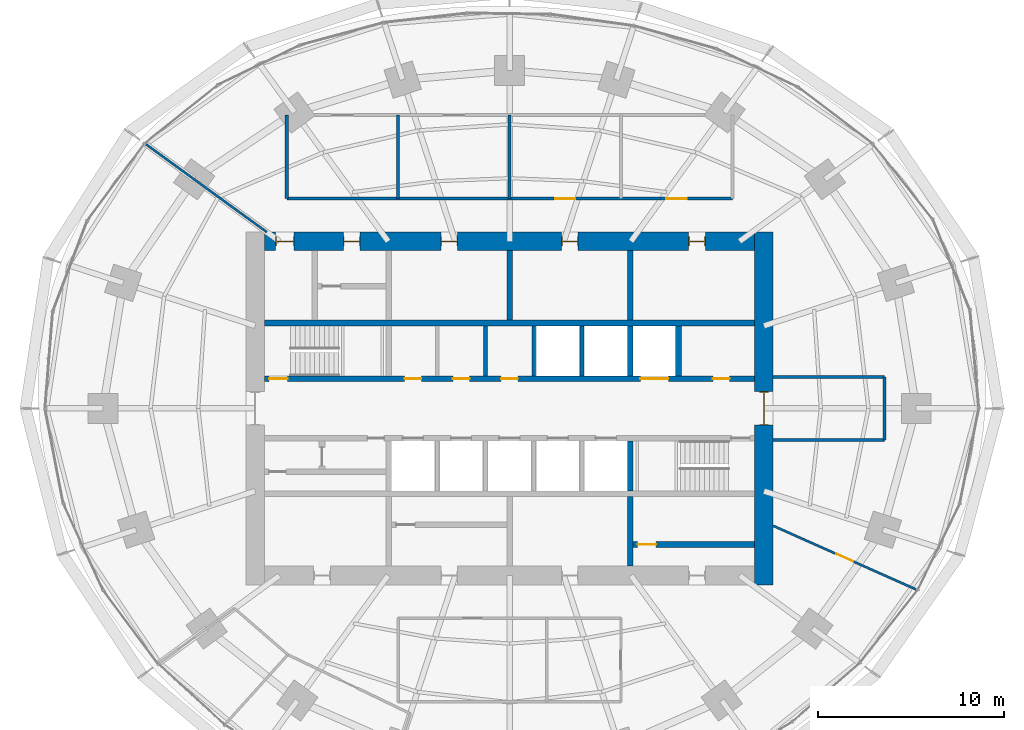
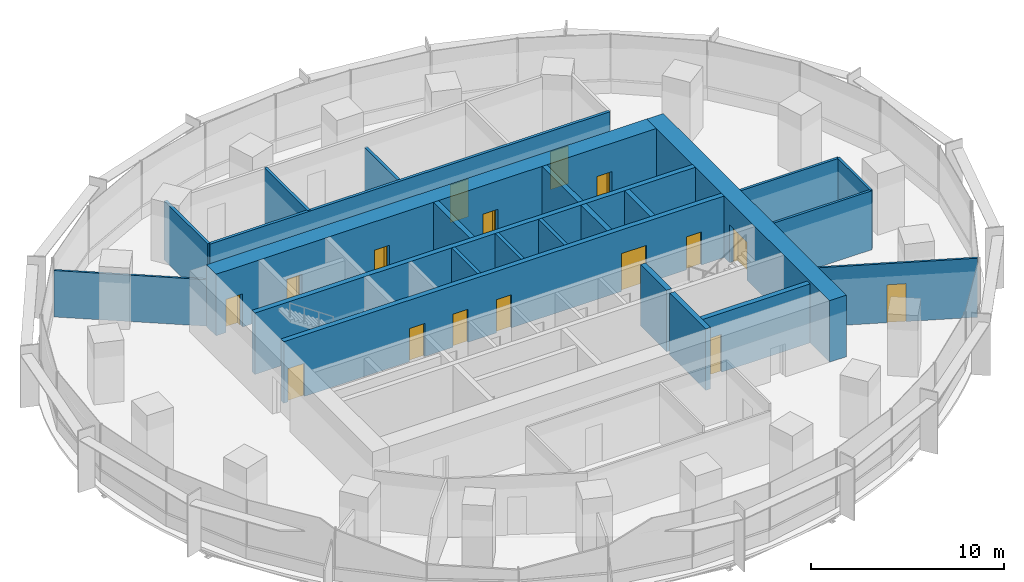
# One storey, part 11 of 14: 23 walls, 16 doors, 16 openings.
"""IFC4 building model written with IfcOpenShell, lengths in metres."""

from ifc_helpers import new_model, si_unit, direction, frame, frame_2d, origin, place, context, subcontext, project, spatial, rectangle, extrude, material, layer, layer_set, type_object, element, fill, save


model = new_model("IFC4")

# Units and contexts
model_context = context("Model", 3, precision=1e-05, world=origin(), true_north=direction((0.0, 1.0)))
body_context = subcontext(model_context, "Body", "Model", "MODEL_VIEW")
ifc_project = project(units=[si_unit("LENGTHUNIT", "METRE"), si_unit("AREAUNIT", "SQUARE_METRE"), si_unit("VOLUMEUNIT", "CUBIC_METRE"), si_unit("PLANEANGLEUNIT", "RADIAN"), si_unit("MASSUNIT", "GRAM", prefix="KILO")], contexts=[model_context])

# Site, building, storey
site_placement = place(None, origin())
site = spatial("IfcSite", under=ifc_project, at=site_placement, CompositionType="ELEMENT")
building_placement = place(site_placement, origin())
building = spatial("IfcBuilding", under=site, at=building_placement, Name="Marramba Exchange Tower", CompositionType="ELEMENT")
storey_placement = place(building_placement, frame((0.0, 0.0, 158.699951171875)))
storey = spatial("IfcBuildingStorey", under=building, at=storey_placement, Name="L38", CompositionType="ELEMENT", Elevation=158.699951171875)

# Wall
ifc_material_1 = material(Name="Plasterboard on staggered double steel studs, acoustic insulation", Category="steel")
ifc_layer_1 = layer(ifc_material_1, 0.169921875)
ifc_layer_set_1 = layer_set([ifc_layer_1], Name="Acoustic partition 170")
wall_type_1 = type_object("IfcWallType", Name="Acoustic partition 170", PredefinedType="PARTITIONING", material=ifc_layer_set_1)
wall_1_placement = place(storey_placement, frame((0.0, 15.800048828125, 0.0), z_axis=(0.0, 0.0, 1.0), x_axis=(0.0, -1.0, 0.0)))
element("IfcWall", 1, at=wall_1_placement, inside=storey, type_object=wall_type_1, Name="Acoustic partition L38 18", PredefinedType="PARTITIONING", context=body_context, shape_type="SweptSolid", body=[
    extrude(rectangle(XDim=4.5, YDim=0.169921875, at=frame_2d((2.25, 0.0))), origin(), (0.0, 0.0, 1.0), 2.93994140625),
])

# Wall, openings, doors
wall_2_placement = place(storey_placement, frame((12.0, 11.300048828125, 0.0), z_axis=(0.0, 0.0, 1.0), x_axis=(-1.0, 0.0, 0.0)))
wall_2 = element("IfcWall", 2, at=wall_2_placement, inside=storey, type_object=wall_type_1, Name="Acoustic partition L38 19", PredefinedType="PARTITIONING", context=body_context, shape_type="SweptSolid", body=[
    extrude(rectangle(XDim=24.0, YDim=0.169921875, at=frame_2d((12.0, 0.0))), origin(), (0.0, 0.0, 1.0), 3.739990234375),
])
opening_1_placement = place(wall_2_placement, frame((8.449951171875, 0.0, 0.0)))
opening_1 = element("IfcOpeningElement", 3, at=opening_1_placement, cuts=wall_2, Name="Opening D15", PredefinedType="OPENING", context=body_context, shape_type="SweptSolid", body=[
    extrude(rectangle(XDim=1.10009765625, YDim=2.39990234375, at=frame_2d((0.550048828125, 1.199951171875))), frame((0.0, 0.094970703125, 0.0), z_axis=(0.0, -1.0, 0.0), x_axis=(1.0, 0.0, 0.0)), (0.0, 0.0, 1.0), 0.18994140625),
])
opening_2_placement = place(wall_2_placement, frame((2.449951171875, 0.0, 0.0)))
opening_2 = element("IfcOpeningElement", 4, at=opening_2_placement, cuts=wall_2, Name="Opening D15", PredefinedType="OPENING", context=body_context, shape_type="SweptSolid", body=[
    extrude(rectangle(XDim=1.10009765625, YDim=2.39990234375, at=frame_2d((0.550048828125, 1.199951171875))), frame((0.0, 0.094970703125, 0.0), z_axis=(0.0, -1.0, 0.0), x_axis=(1.0, 0.0, 0.0)), (0.0, 0.0, 1.0), 0.18994140625),
])
ifc_material_2 = material(Name="Timber door", Category="wood")
door_type_1 = type_object("IfcDoorType", Name="Glazed meeting room door 1100x2400", OperationType="SINGLE_SWING_LEFT", PredefinedType="DOOR", material=ifc_material_2)
door_1_placement = place(opening_1_placement, frame((1.10009765625, 0.0, 0.0), z_axis=(0.0, 0.0, 1.0), x_axis=(-1.0, 0.0, 0.0)))
door_1 = element("IfcDoor", 5, at=door_1_placement, inside=storey, type_object=door_type_1, Name="D15 Meeting Room 3 L38", OperationType="SINGLE_SWING_RIGHT", OverallHeight=2.39990234375, OverallWidth=1.10009765625, PredefinedType="DOOR", context=body_context, shape_type="SweptSolid", body=[
    extrude(rectangle(XDim=1.10009765625, YDim=2.39990234375, at=frame_2d((0.550048828125, 1.199951171875))), frame((0.0, 0.025146484375, 0.0), z_axis=(0.0, -1.0, 0.0), x_axis=(1.0, 0.0, 0.0)), (0.0, 0.0, 1.0), 0.050048828125),
])
fill(opening_1, door_1)
door_2_placement = place(opening_2_placement, frame((1.10009765625, 0.0, 0.0), z_axis=(0.0, 0.0, 1.0), x_axis=(-1.0, 0.0, 0.0)))
door_2 = element("IfcDoor", 6, at=door_2_placement, inside=storey, type_object=door_type_1, Name="D15 Meeting Room 4 L38", OperationType="SINGLE_SWING_RIGHT", OverallHeight=2.39990234375, OverallWidth=1.10009765625, PredefinedType="DOOR", context=body_context, shape_type="SweptSolid", body=[
    extrude(rectangle(XDim=1.10009765625, YDim=2.39990234375, at=frame_2d((0.550048828125, 1.199951171875))), frame((0.0, 0.025146484375, 0.0), z_axis=(0.0, -1.0, 0.0), x_axis=(1.0, 0.0, 0.0)), (0.0, 0.0, 1.0), 0.050048828125),
])
fill(opening_2, door_2)

# Walls
for number, where, z_axis, x_axis, name in (
    (7, (-6.0, 15.800048828125, 0.0), (0.0, 0.0, 1.0), (0.0, -1.0, 0.0), "Acoustic partition L38 20"),
    (8, (-12.0, 11.300048828125, 0.0), (0.0, 0.0, 1.0), (0.0, 1.0, 0.0), "Acoustic partition L38 21"),
):
    element("IfcWall", number, at=place(storey_placement, frame(where, z_axis=z_axis, x_axis=x_axis)), inside=storey, type_object=wall_type_1, Name=name, PredefinedType="PARTITIONING", context=body_context, shape_type="SweptSolid", body=[
        extrude(rectangle(XDim=4.5, YDim=0.169921875, at=frame_2d((2.25, 0.0))), origin(), (0.0, 0.0, 1.0), 3.739990234375),
    ])
ifc_material_3 = material(Name="Concrete N50", Category="concrete")
ifc_layer_2 = layer(ifc_material_3, 0.199951171875)
ifc_layer_set_2 = layer_set([ifc_layer_2], Name="Core shaft wall 200")
wall_type_2 = type_object("IfcWallType", Name="Core shaft wall 200", PredefinedType="SHEAR", material=ifc_layer_set_2)
for number, where, z_axis, x_axis, name in (
    (9, (-1.300048828125, 1.75, 0.0), (0.0, 0.0, 1.0), (0.0, 1.0, 0.0), "Core wall SHN2 L38"),
    (10, (1.300048828125, 1.75, 0.0), (0.0, 0.0, 1.0), (0.0, 1.0, 0.0), "Core wall SHN3 L38"),
    (11, (3.89990234375, 1.75, 0.0), (0.0, 0.0, 1.0), (0.0, 1.0, 0.0), "Core wall SHN4 L38"),
):
    element("IfcWall", number, at=place(storey_placement, frame(where, z_axis=z_axis, x_axis=x_axis)), inside=storey, type_object=wall_type_2, Name=name, PredefinedType="SHEAR", context=body_context, shape_type="SweptSolid", body=[
        extrude(rectangle(XDim=2.699951171875, YDim=0.199951171875, at=frame_2d((1.35009765625, 0.0))), origin(), (0.0, 0.0, 1.0), 3.900146484375),
    ])

# Wall, openings, doors
ifc_layer_3 = layer(ifc_material_3, 1.0)
ifc_layer_set_3 = layer_set([ifc_layer_3], Name="Core wall 1000")
wall_type_3 = type_object("IfcWallType", Name="Core wall 1000", PredefinedType="SHEAR", material=ifc_layer_set_3)
wall_3_placement = place(storey_placement, frame((13.199951171875, 9.0, 0.0), z_axis=(0.0, 0.0, 1.0), x_axis=(-1.0, 0.0, 0.0)))
wall_3 = element("IfcWall", 12, at=wall_3_placement, inside=storey, type_object=wall_type_3, Name="Core wall N L38", PredefinedType="SHEAR", context=body_context, shape_type="SweptSolid", body=[
    extrude(rectangle(XDim=26.39990234375, YDim=1.0, at=frame_2d((13.199951171875, 0.0))), origin(), (0.0, 0.0, 1.0), 3.900146484375),
])
opening_3_placement = place(wall_3_placement, frame((2.64990234375, 0.0, 0.0)))
opening_3 = element("IfcOpeningElement", 13, at=opening_3_placement, cuts=wall_3, Name="Opening D5", PredefinedType="OPENING", context=body_context, shape_type="SweptSolid", body=[
    extrude(rectangle(XDim=0.89990234375, YDim=2.10009765625, at=frame_2d((0.449951171875, 1.050048828125))), frame((0.0, 0.510009765625, 0.0), z_axis=(0.0, -1.0, 0.0), x_axis=(1.0, 0.0, 0.0)), (0.0, 0.0, 1.0), 1.02001953125),
])
opening_4_placement = place(wall_3_placement, frame((9.5, 0.0, 0.0)))
opening_4 = element("IfcOpeningElement", 14, at=opening_4_placement, cuts=wall_3, Name="Opening D3", PredefinedType="OPENING", context=body_context, shape_type="SweptSolid", body=[
    extrude(rectangle(XDim=0.89990234375, YDim=2.10009765625, at=frame_2d((0.449951171875, 1.050048828125))), frame((0.0, 0.510009765625, 0.0), z_axis=(0.0, -1.0, 0.0), x_axis=(1.0, 0.0, 0.0)), (0.0, 0.0, 1.0), 1.02001953125),
])
opening_5_placement = place(wall_3_placement, frame((16.0, 0.0, 0.0)))
opening_5 = element("IfcOpeningElement", 15, at=opening_5_placement, cuts=wall_3, Name="Opening D3", PredefinedType="OPENING", context=body_context, shape_type="SweptSolid", body=[
    extrude(rectangle(XDim=0.89990234375, YDim=2.10009765625, at=frame_2d((0.449951171875, 1.050048828125))), frame((0.0, 0.510009765625, 0.0), z_axis=(0.0, -1.0, 0.0), x_axis=(1.0, 0.0, 0.0)), (0.0, 0.0, 1.0), 1.02001953125),
])
opening_6_placement = place(wall_3_placement, frame((21.25, 0.0, 0.0)))
opening_6 = element("IfcOpeningElement", 16, at=opening_6_placement, cuts=wall_3, Name="Opening D5", PredefinedType="OPENING", context=body_context, shape_type="SweptSolid", body=[
    extrude(rectangle(XDim=0.89990234375, YDim=2.10009765625, at=frame_2d((0.449951171875, 1.050048828125))), frame((0.0, 0.510009765625, 0.0), z_axis=(0.0, -1.0, 0.0), x_axis=(1.0, 0.0, 0.0)), (0.0, 0.0, 1.0), 1.02001953125),
])
opening_7_placement = place(wall_3_placement, frame((24.800048828125, 0.0, 0.0)))
opening_7 = element("IfcOpeningElement", 17, at=opening_7_placement, cuts=wall_3, Name="Opening D4", PredefinedType="OPENING", context=body_context, shape_type="SweptSolid", body=[
    extrude(rectangle(XDim=1.0, YDim=2.10009765625, at=frame_2d((0.5, 1.050048828125))), frame((0.0, 0.510009765625, 0.0), z_axis=(0.0, -1.0, 0.0), x_axis=(1.0, 0.0, 0.0)), (0.0, 0.0, 1.0), 1.02001953125),
])
ifc_material_4 = material(Name="Steel-framed door", Category="steel")
door_type_2 = type_object("IfcDoorType", Name="Accessible toilet door 1000x2100", OperationType="SINGLE_SWING_LEFT", PredefinedType="DOOR", material=ifc_material_4)
door_3_placement = place(opening_7_placement, origin())
door_3 = element("IfcDoor", 18, at=door_3_placement, inside=storey, type_object=door_type_2, Name="D4 awc L38", OperationType="SINGLE_SWING_RIGHT", OverallHeight=2.10009765625, OverallWidth=1.0, PredefinedType="DOOR", context=body_context, shape_type="SweptSolid", body=[
    extrude(rectangle(XDim=0.919921875, YDim=2.06005859375, at=frame_2d((0.5, 1.030029296875))), frame((0.0, 0.02490234375, 0.0), z_axis=(0.0, -1.0, 0.0), x_axis=(1.0, 0.0, 0.0)), (0.0, 0.0, 1.0), 0.050048828125),
    extrude(rectangle(XDim=0.04, YDim=2.10009765625, at=frame_2d((0.02001953125, 1.050048828125))), frame((0.0, 0.25, 0.0), z_axis=(0.0, -1.0, 0.0), x_axis=(1.0, 0.0, 0.0)), (0.0, 0.0, 1.0), 0.5),
    extrude(rectangle(XDim=0.04, YDim=2.10009765625, at=frame_2d((0.97998046875, 1.050048828125))), frame((0.0, 0.25, 0.0), z_axis=(0.0, -1.0, 0.0), x_axis=(1.0, 0.0, 0.0)), (0.0, 0.0, 1.0), 0.5),
    extrude(rectangle(XDim=0.919921875, YDim=0.04, at=frame_2d((0.5, 2.080078125))), frame((0.0, 0.25, 0.0), z_axis=(0.0, -1.0, 0.0), x_axis=(1.0, 0.0, 0.0)), (0.0, 0.0, 1.0), 0.5),
])
fill(opening_7, door_3)
door_type_3 = type_object("IfcDoorType", Name="Service door 900x2100", OperationType="SINGLE_SWING_LEFT", PredefinedType="DOOR", material=ifc_material_4)
door_4_placement = place(opening_3_placement, origin())
door_4 = element("IfcDoor", 19, at=door_4_placement, inside=storey, type_object=door_type_3, Name="D5 comms L38", OperationType="SINGLE_SWING_LEFT", OverallHeight=2.10009765625, OverallWidth=0.89990234375, PredefinedType="DOOR", context=body_context, shape_type="SweptSolid", body=[
    extrude(rectangle(XDim=0.81982421875, YDim=2.06005859375, at=frame_2d((0.449951171875, 1.030029296875))), frame((0.0, 0.02490234375, 0.0), z_axis=(0.0, -1.0, 0.0), x_axis=(1.0, 0.0, 0.0)), (0.0, 0.0, 1.0), 0.050048828125),
    extrude(rectangle(XDim=0.04, YDim=2.10009765625, at=frame_2d((0.02001953125, 1.050048828125))), frame((0.0, 0.25, 0.0), z_axis=(0.0, -1.0, 0.0), x_axis=(1.0, 0.0, 0.0)), (0.0, 0.0, 1.0), 0.5),
    extrude(rectangle(XDim=0.04, YDim=2.10009765625, at=frame_2d((0.8798828125, 1.050048828125))), frame((0.0, 0.25, 0.0), z_axis=(0.0, -1.0, 0.0), x_axis=(1.0, 0.0, 0.0)), (0.0, 0.0, 1.0), 0.5),
    extrude(rectangle(XDim=0.81982421875, YDim=0.04, at=frame_2d((0.449951171875, 2.080078125))), frame((0.0, 0.25, 0.0), z_axis=(0.0, -1.0, 0.0), x_axis=(1.0, 0.0, 0.0)), (0.0, 0.0, 1.0), 0.5),
])
fill(opening_3, door_4)
door_5_placement = place(opening_6_placement, origin())
door_5 = element("IfcDoor", 20, at=door_5_placement, inside=storey, type_object=door_type_3, Name="D5 cleaner L38", OperationType="SINGLE_SWING_RIGHT", OverallHeight=2.10009765625, OverallWidth=0.89990234375, PredefinedType="DOOR", context=body_context, shape_type="SweptSolid", body=[
    extrude(rectangle(XDim=0.81982421875, YDim=2.06005859375, at=frame_2d((0.449951171875, 1.030029296875))), frame((0.0, 0.02490234375, 0.0), z_axis=(0.0, -1.0, 0.0), x_axis=(1.0, 0.0, 0.0)), (0.0, 0.0, 1.0), 0.050048828125),
    extrude(rectangle(XDim=0.04, YDim=2.10009765625, at=frame_2d((0.02001953125, 1.050048828125))), frame((0.0, 0.25, 0.0), z_axis=(0.0, -1.0, 0.0), x_axis=(1.0, 0.0, 0.0)), (0.0, 0.0, 1.0), 0.5),
    extrude(rectangle(XDim=0.04, YDim=2.10009765625, at=frame_2d((0.8798828125, 1.050048828125))), frame((0.0, 0.25, 0.0), z_axis=(0.0, -1.0, 0.0), x_axis=(1.0, 0.0, 0.0)), (0.0, 0.0, 1.0), 0.5),
    extrude(rectangle(XDim=0.81982421875, YDim=0.04, at=frame_2d((0.449951171875, 2.080078125))), frame((0.0, 0.25, 0.0), z_axis=(0.0, -1.0, 0.0), x_axis=(1.0, 0.0, 0.0)), (0.0, 0.0, 1.0), 0.5),
])
fill(opening_6, door_5)
door_type_4 = type_object("IfcDoorType", Name="Toilet door 900x2100", OperationType="SINGLE_SWING_LEFT", PredefinedType="DOOR", material=ifc_material_4)
door_6_placement = place(opening_4_placement, origin())
door_6 = element("IfcDoor", 21, at=door_6_placement, inside=storey, type_object=door_type_4, Name="D3 wc-f L38", OperationType="SINGLE_SWING_RIGHT", OverallHeight=2.10009765625, OverallWidth=0.89990234375, PredefinedType="DOOR", context=body_context, shape_type="SweptSolid", body=[
    extrude(rectangle(XDim=0.81982421875, YDim=2.06005859375, at=frame_2d((0.449951171875, 1.030029296875))), frame((0.0, 0.02490234375, 0.0), z_axis=(0.0, -1.0, 0.0), x_axis=(1.0, 0.0, 0.0)), (0.0, 0.0, 1.0), 0.050048828125),
    extrude(rectangle(XDim=0.04, YDim=2.10009765625, at=frame_2d((0.02001953125, 1.050048828125))), frame((0.0, 0.25, 0.0), z_axis=(0.0, -1.0, 0.0), x_axis=(1.0, 0.0, 0.0)), (0.0, 0.0, 1.0), 0.5),
    extrude(rectangle(XDim=0.04, YDim=2.10009765625, at=frame_2d((0.8798828125, 1.050048828125))), frame((0.0, 0.25, 0.0), z_axis=(0.0, -1.0, 0.0), x_axis=(1.0, 0.0, 0.0)), (0.0, 0.0, 1.0), 0.5),
    extrude(rectangle(XDim=0.81982421875, YDim=0.04, at=frame_2d((0.449951171875, 2.080078125))), frame((0.0, 0.25, 0.0), z_axis=(0.0, -1.0, 0.0), x_axis=(1.0, 0.0, 0.0)), (0.0, 0.0, 1.0), 0.5),
])
fill(opening_4, door_6)
door_7_placement = place(opening_5_placement, origin())
door_7 = element("IfcDoor", 22, at=door_7_placement, inside=storey, type_object=door_type_4, Name="D3 wc-m L38", OperationType="SINGLE_SWING_RIGHT", OverallHeight=2.10009765625, OverallWidth=0.89990234375, PredefinedType="DOOR", context=body_context, shape_type="SweptSolid", body=[
    extrude(rectangle(XDim=0.81982421875, YDim=2.06005859375, at=frame_2d((0.449951171875, 1.030029296875))), frame((0.0, 0.02490234375, 0.0), z_axis=(0.0, -1.0, 0.0), x_axis=(1.0, 0.0, 0.0)), (0.0, 0.0, 1.0), 0.050048828125),
    extrude(rectangle(XDim=0.04, YDim=2.10009765625, at=frame_2d((0.02001953125, 1.050048828125))), frame((0.0, 0.25, 0.0), z_axis=(0.0, -1.0, 0.0), x_axis=(1.0, 0.0, 0.0)), (0.0, 0.0, 1.0), 0.5),
    extrude(rectangle(XDim=0.04, YDim=2.10009765625, at=frame_2d((0.8798828125, 1.050048828125))), frame((0.0, 0.25, 0.0), z_axis=(0.0, -1.0, 0.0), x_axis=(1.0, 0.0, 0.0)), (0.0, 0.0, 1.0), 0.5),
    extrude(rectangle(XDim=0.81982421875, YDim=0.04, at=frame_2d((0.449951171875, 2.080078125))), frame((0.0, 0.25, 0.0), z_axis=(0.0, -1.0, 0.0), x_axis=(1.0, 0.0, 0.0)), (0.0, 0.0, 1.0), 0.5),
])
fill(opening_5, door_7)

# Wall, opening, door
wall_4_placement = place(storey_placement, frame((13.699951171875, -9.5, 0.0), z_axis=(0.0, 0.0, 1.0), x_axis=(0.0, 1.0, 0.0)))
wall_4 = element("IfcWall", 23, at=wall_4_placement, inside=storey, type_object=wall_type_3, Name="Core wall E L38", PredefinedType="SHEAR", context=body_context, shape_type="SweptSolid", body=[
    extrude(rectangle(XDim=19.0, YDim=1.0, at=frame_2d((9.5, 0.0))), origin(), (0.0, 0.0, 1.0), 3.900146484375),
])
opening_8_placement = place(wall_4_placement, frame((8.60009765625, 0.0, 0.0)))
opening_8 = element("IfcOpeningElement", 24, at=opening_8_placement, cuts=wall_4, Name="Opening D1", PredefinedType="OPENING", context=body_context, shape_type="SweptSolid", body=[
    extrude(rectangle(XDim=1.800048828125, YDim=2.39990234375, at=frame_2d((0.89990234375, 1.199951171875))), frame((0.0, 0.510009765625, 0.0), z_axis=(0.0, -1.0, 0.0), x_axis=(1.0, 0.0, 0.0)), (0.0, 0.0, 1.0), 1.02001953125),
])
door_type_5 = type_object("IfcDoorType", Name="Lobby exit door 1800x2400", OperationType="DOUBLE_DOOR_SINGLE_SWING", PredefinedType="DOOR", material=ifc_material_4)
door_8_placement = place(opening_8_placement, frame((1.800048828125, 0.0, 0.0), z_axis=(0.0, 0.0, 1.0), x_axis=(-1.0, 0.0, 0.0)))
door_8 = element("IfcDoor", 25, at=door_8_placement, inside=storey, type_object=door_type_5, Name="D1 lobby exit east L38", OperationType="DOUBLE_DOOR_SINGLE_SWING", OverallHeight=2.39990234375, OverallWidth=1.800048828125, PredefinedType="DOOR", context=body_context, shape_type="SweptSolid", body=[
    extrude(rectangle(XDim=1.719970703125, YDim=2.35986328125, at=frame_2d((0.900146484375, 1.179931640625))), frame((0.0, 0.025146484375, 0.0), z_axis=(0.0, -1.0, 0.0), x_axis=(1.0, 0.0, 0.0)), (0.0, 0.0, 1.0), 0.050048828125),
    extrude(rectangle(XDim=0.04, YDim=2.39990234375, at=frame_2d((1.780029296875, 1.199951171875))), frame((0.0, 0.25, 0.0), z_axis=(0.0, -1.0, 0.0), x_axis=(1.0, 0.0, 0.0)), (0.0, 0.0, 1.0), 0.5),
    extrude(rectangle(XDim=0.04, YDim=2.39990234375, at=frame_2d((0.02001953125, 1.199951171875))), frame((0.0, 0.25, 0.0), z_axis=(0.0, -1.0, 0.0), x_axis=(1.0, 0.0, 0.0)), (0.0, 0.0, 1.0), 0.5),
    extrude(rectangle(XDim=1.719970703125, YDim=0.04, at=frame_2d((0.900146484375, 2.3798828125))), frame((0.0, 0.25, 0.0), z_axis=(0.0, -1.0, 0.0), x_axis=(1.0, 0.0, 0.0)), (0.0, 0.0, 1.0), 0.5),
])
fill(opening_8, door_8)

# Wall, openings, doors
ifc_layer_4 = layer(ifc_material_3, 0.300048828125)
ifc_layer_set_4 = layer_set([ifc_layer_4], Name="Core wall 300")
wall_type_4 = type_object("IfcWallType", Name="Core wall 300", PredefinedType="SHEAR", material=ifc_layer_set_4)
wall_5_placement = place(storey_placement, frame((-13.199951171875, 1.60009765625, 0.0), z_axis=(0.0, 0.0, 1.0), x_axis=(1.0, 0.0, 0.0)))
wall_5 = element("IfcWall", 26, at=wall_5_placement, inside=storey, type_object=wall_type_4, Name="Core wall LN L38", PredefinedType="SHEAR", context=body_context, shape_type="SweptSolid", body=[
    extrude(rectangle(XDim=26.39990234375, YDim=0.300048828125, at=frame_2d((13.199951171875, 0.0))), origin(), (0.0, 0.0, 1.0), 3.900146484375),
])
opening_9_placement = place(wall_5_placement, frame((0.25, 0.0, 0.0)))
opening_9 = element("IfcOpeningElement", 27, at=opening_9_placement, cuts=wall_5, Name="Opening D2", PredefinedType="OPENING", context=body_context, shape_type="SweptSolid", body=[
    extrude(rectangle(XDim=1.0, YDim=2.10009765625, at=frame_2d((0.5, 1.050048828125))), frame((0.0, 0.159912109375, 0.0), z_axis=(0.0, -1.0, 0.0), x_axis=(1.0, 0.0, 0.0)), (0.0, 0.0, 1.0), 0.320068359375),
])
opening_10_placement = place(wall_5_placement, frame((20.25, 0.0, 0.0)))
opening_10 = element("IfcOpeningElement", 28, at=opening_10_placement, cuts=wall_5, Name="Opening LD3", PredefinedType="OPENING", context=body_context, shape_type="SweptSolid", body=[
    extrude(rectangle(XDim=1.5, YDim=2.39990234375, at=frame_2d((0.75, 1.199951171875))), frame((0.0, 0.159912109375, 0.0), z_axis=(0.0, -1.0, 0.0), x_axis=(1.0, 0.0, 0.0)), (0.0, 0.0, 1.0), 0.320068359375),
])
opening_11_placement = place(wall_5_placement, frame((7.550048828125, 0.0, 0.0)))
opening_11 = element("IfcOpeningElement", 29, at=opening_11_placement, cuts=wall_5, Name="Opening D5", PredefinedType="OPENING", context=body_context, shape_type="SweptSolid", body=[
    extrude(rectangle(XDim=0.89990234375, YDim=2.10009765625, at=frame_2d((0.449951171875, 1.050048828125))), frame((0.0, 0.159912109375, 0.0), z_axis=(0.0, -1.0, 0.0), x_axis=(1.0, 0.0, 0.0)), (0.0, 0.0, 1.0), 0.320068359375),
])
opening_12_placement = place(wall_5_placement, frame((10.14990234375, 0.0, 0.0)))
opening_12 = element("IfcOpeningElement", 30, at=opening_12_placement, cuts=wall_5, Name="Opening D5", PredefinedType="OPENING", context=body_context, shape_type="SweptSolid", body=[
    extrude(rectangle(XDim=0.89990234375, YDim=2.10009765625, at=frame_2d((0.449951171875, 1.050048828125))), frame((0.0, 0.159912109375, 0.0), z_axis=(0.0, -1.0, 0.0), x_axis=(1.0, 0.0, 0.0)), (0.0, 0.0, 1.0), 0.320068359375),
])
opening_13_placement = place(wall_5_placement, frame((12.75, 0.0, 0.0)))
opening_13 = element("IfcOpeningElement", 31, at=opening_13_placement, cuts=wall_5, Name="Opening D5", PredefinedType="OPENING", context=body_context, shape_type="SweptSolid", body=[
    extrude(rectangle(XDim=0.89990234375, YDim=2.10009765625, at=frame_2d((0.449951171875, 1.050048828125))), frame((0.0, 0.159912109375, 0.0), z_axis=(0.0, -1.0, 0.0), x_axis=(1.0, 0.0, 0.0)), (0.0, 0.0, 1.0), 0.320068359375),
])
opening_14_placement = place(wall_5_placement, frame((24.14990234375, 0.0, 0.0)))
opening_14 = element("IfcOpeningElement", 32, at=opening_14_placement, cuts=wall_5, Name="Opening D5", PredefinedType="OPENING", context=body_context, shape_type="SweptSolid", body=[
    extrude(rectangle(XDim=0.89990234375, YDim=2.10009765625, at=frame_2d((0.449951171875, 1.050048828125))), frame((0.0, 0.159912109375, 0.0), z_axis=(0.0, -1.0, 0.0), x_axis=(1.0, 0.0, 0.0)), (0.0, 0.0, 1.0), 0.320068359375),
])
door_type_6 = type_object("IfcDoorType", Name="Goods lift landing door 1500x2400", OperationType="SLIDING_TO_LEFT", PredefinedType="DOOR", material=ifc_material_4)
door_9_placement = place(opening_10_placement, origin())
door_9 = element("IfcDoor", 33, at=door_9_placement, inside=storey, type_object=door_type_6, Name="GL1 landing door L38", OperationType="SLIDING_TO_LEFT", OverallHeight=2.39990234375, OverallWidth=1.5, PredefinedType="DOOR", context=body_context, shape_type="SweptSolid", body=[
    extrude(rectangle(XDim=1.5, YDim=2.39990234375, at=frame_2d((0.75, 1.199951171875))), frame((0.0, 0.02490234375, 0.0), z_axis=(0.0, -1.0, 0.0), x_axis=(1.0, 0.0, 0.0)), (0.0, 0.0, 1.0), 0.050048828125),
])
fill(opening_10, door_9)
door_10_placement = place(opening_11_placement, origin())
door_10 = element("IfcDoor", 34, at=door_10_placement, inside=storey, type_object=door_type_3, Name="D5 vending room L38", OperationType="SINGLE_SWING_RIGHT", OverallHeight=2.10009765625, OverallWidth=0.89990234375, PredefinedType="DOOR", context=body_context, shape_type="SweptSolid", body=[
    extrude(rectangle(XDim=0.89990234375, YDim=2.10009765625, at=frame_2d((0.449951171875, 1.050048828125))), frame((0.0, 0.02490234375, 0.0), z_axis=(0.0, -1.0, 0.0), x_axis=(1.0, 0.0, 0.0)), (0.0, 0.0, 1.0), 0.050048828125),
])
fill(opening_11, door_10)
door_11_placement = place(opening_12_placement, origin())
door_11 = element("IfcDoor", 35, at=door_11_placement, inside=storey, type_object=door_type_3, Name="D5 stationery store L38", OperationType="SINGLE_SWING_RIGHT", OverallHeight=2.10009765625, OverallWidth=0.89990234375, PredefinedType="DOOR", context=body_context, shape_type="SweptSolid", body=[
    extrude(rectangle(XDim=0.89990234375, YDim=2.10009765625, at=frame_2d((0.449951171875, 1.050048828125))), frame((0.0, 0.02490234375, 0.0), z_axis=(0.0, -1.0, 0.0), x_axis=(1.0, 0.0, 0.0)), (0.0, 0.0, 1.0), 0.050048828125),
])
fill(opening_12, door_11)
door_12_placement = place(opening_13_placement, origin())
door_12 = element("IfcDoor", 36, at=door_12_placement, inside=storey, type_object=door_type_3, Name="D5 switch room L38", OperationType="SINGLE_SWING_RIGHT", OverallHeight=2.10009765625, OverallWidth=0.89990234375, PredefinedType="DOOR", context=body_context, shape_type="SweptSolid", body=[
    extrude(rectangle(XDim=0.89990234375, YDim=2.10009765625, at=frame_2d((0.449951171875, 1.050048828125))), frame((0.0, 0.02490234375, 0.0), z_axis=(0.0, -1.0, 0.0), x_axis=(1.0, 0.0, 0.0)), (0.0, 0.0, 1.0), 0.050048828125),
])
fill(opening_13, door_12)
door_13_placement = place(opening_14_placement, origin())
door_13 = element("IfcDoor", 37, at=door_13_placement, inside=storey, type_object=door_type_3, Name="D5 riser L38", OperationType="SINGLE_SWING_RIGHT", OverallHeight=2.10009765625, OverallWidth=0.89990234375, PredefinedType="DOOR", context=body_context, shape_type="SweptSolid", body=[
    extrude(rectangle(XDim=0.89990234375, YDim=2.10009765625, at=frame_2d((0.449951171875, 1.050048828125))), frame((0.0, 0.02490234375, 0.0), z_axis=(0.0, -1.0, 0.0), x_axis=(1.0, 0.0, 0.0)), (0.0, 0.0, 1.0), 0.050048828125),
])
fill(opening_14, door_13)
door_type_7 = type_object("IfcDoorType", Name="Stair door 1000x2100", OperationType="SINGLE_SWING_LEFT", PredefinedType="DOOR", material=ifc_material_4)
door_14_placement = place(opening_9_placement, origin())
door_14 = element("IfcDoor", 38, at=door_14_placement, inside=storey, type_object=door_type_7, Name="D2 stair ST1 L38", OperationType="SINGLE_SWING_LEFT", OverallHeight=2.10009765625, OverallWidth=1.0, PredefinedType="DOOR", context=body_context, shape_type="SweptSolid", body=[
    extrude(rectangle(XDim=1.0, YDim=2.10009765625, at=frame_2d((0.5, 1.050048828125))), frame((0.0, 0.02490234375, 0.0), z_axis=(0.0, -1.0, 0.0), x_axis=(1.0, 0.0, 0.0)), (0.0, 0.0, 1.0), 0.050048828125),
])
fill(opening_9, door_14)

# Walls
wall_6_placement = place(storey_placement, frame((-13.199951171875, 4.60009765625, 0.0), z_axis=(0.0, 0.0, 1.0), x_axis=(1.0, 0.0, 0.0)))
element("IfcWall", 39, at=wall_6_placement, inside=storey, type_object=wall_type_4, Name="Core wall BN L38", PredefinedType="SHEAR", context=body_context, shape_type="SweptSolid", body=[
    extrude(rectangle(XDim=26.39990234375, YDim=0.300048828125, at=frame_2d((13.199951171875, 0.0))), origin(), (0.0, 0.0, 1.0), 3.900146484375),
])
wall_7_placement = place(storey_placement, frame((6.5, 1.75, 0.0), z_axis=(0.0, 0.0, 1.0), x_axis=(0.0, 1.0, 0.0)))
element("IfcWall", 40, at=wall_7_placement, inside=storey, type_object=wall_type_4, Name="Core wall X1Na L38", PredefinedType="SHEAR", context=body_context, shape_type="SweptSolid", body=[
    extrude(rectangle(XDim=2.699951171875, YDim=0.300048828125, at=frame_2d((1.35009765625, 0.0))), origin(), (0.0, 0.0, 1.0), 3.900146484375),
])
for number, where, z_axis, x_axis, name in (
    (41, (6.5, 4.75, 0.0), (0.0, 0.0, 1.0), (0.0, 1.0, 0.0), "Core wall X1Nb L38"),
    (42, (0.0, 4.75, 0.0), (0.0, 0.0, 1.0), (0.0, 1.0, 0.0), "Core wall MN L38"),
):
    element("IfcWall", number, at=place(storey_placement, frame(where, z_axis=z_axis, x_axis=x_axis)), inside=storey, type_object=wall_type_4, Name=name, PredefinedType="SHEAR", context=body_context, shape_type="SweptSolid", body=[
        extrude(rectangle(XDim=3.75, YDim=0.300048828125, at=frame_2d((1.875, 0.0))), origin(), (0.0, 0.0, 1.0), 3.900146484375),
    ])
wall_8_placement = place(storey_placement, frame((6.5, -1.75, 0.0), z_axis=(0.0, 0.0, 1.0), x_axis=(0.0, -1.0, 0.0)))
element("IfcWall", 43, at=wall_8_placement, inside=storey, type_object=wall_type_4, Name="Core wall X1Sa L38", PredefinedType="SHEAR", context=body_context, shape_type="SweptSolid", body=[
    extrude(rectangle(XDim=2.699951171875, YDim=0.300048828125, at=frame_2d((1.35009765625, 0.0))), origin(), (0.0, 0.0, 1.0), 3.900146484375),
])
wall_9_placement = place(storey_placement, frame((6.5, -4.75, 0.0), z_axis=(0.0, 0.0, 1.0), x_axis=(0.0, -1.0, 0.0)))
element("IfcWall", 44, at=wall_9_placement, inside=storey, type_object=wall_type_4, Name="Core wall X1Sb L38", PredefinedType="SHEAR", context=body_context, shape_type="SweptSolid", body=[
    extrude(rectangle(XDim=3.75, YDim=0.300048828125, at=frame_2d((1.875, 0.0))), origin(), (0.0, 0.0, 1.0), 3.900146484375),
])
wall_10_placement = place(storey_placement, frame((9.10009765625, 1.75, 0.0), z_axis=(0.0, 0.0, 1.0), x_axis=(0.0, 1.0, 0.0)))
element("IfcWall", 45, at=wall_10_placement, inside=storey, type_object=wall_type_4, Name="Core wall ED L38", PredefinedType="SHEAR", context=body_context, shape_type="SweptSolid", body=[
    extrude(rectangle(XDim=2.699951171875, YDim=0.300048828125, at=frame_2d((1.35009765625, 0.0))), origin(), (0.0, 0.0, 1.0), 3.900146484375),
])

# Wall, opening, door
ifc_material_5 = material(Name="Plasterboard on steel studs", Category="steel")
ifc_layer_5 = layer(ifc_material_5, 0.1201171875)
ifc_layer_set_5 = layer_set([ifc_layer_5], Name="Partition 120")
wall_type_5 = type_object("IfcWallType", Name="Partition 120", PredefinedType="PARTITIONING", material=ifc_layer_set_5)
wall_11_placement = place(storey_placement, frame((14.199951171875, -6.322265625, 0.0), z_axis=(0.0, 0.0, 1.0), x_axis=(0.913546486883, -0.406734331357, 0.0)))
wall_11 = element("IfcWall", 46, at=wall_11_placement, inside=storey, type_object=wall_type_5, Name="Partition L38 11", PredefinedType="PARTITIONING", context=body_context, shape_type="SweptSolid", body=[
    extrude(rectangle(XDim=8.438232421875, YDim=0.1201171875, at=frame_2d((4.21923828125, 0.0))), origin(), (0.0, 0.0, 1.0), 3.739990234375),
])
opening_15_placement = place(wall_11_placement, frame((3.718994140625, 0.0, 0.0)))
opening_15 = element("IfcOpeningElement", 47, at=opening_15_placement, cuts=wall_11, Name="Opening D9", PredefinedType="OPENING", context=body_context, shape_type="SweptSolid", body=[
    extrude(rectangle(XDim=1.0, YDim=2.39990234375, at=frame_2d((0.5, 1.199951171875))), frame((0.0, 0.070068359375, 0.0), z_axis=(0.0, -1.0, 0.0), x_axis=(1.0, 0.0, 0.0)), (0.0, 0.0, 1.0), 0.14013671875),
])
door_type_8 = type_object("IfcDoorType", Name="Room door 1000x2400", OperationType="SINGLE_SWING_LEFT", PredefinedType="DOOR", material=ifc_material_2)
door_15_placement = place(opening_15_placement, origin())
door_15 = element("IfcDoor", 48, at=door_15_placement, inside=storey, type_object=door_type_8, Name="D9 Index Services Office L38", OperationType="SINGLE_SWING_RIGHT", OverallHeight=2.39990234375, OverallWidth=1.0, PredefinedType="DOOR", context=body_context, shape_type="SweptSolid", body=[
    extrude(rectangle(XDim=1.0, YDim=2.39990234375, at=frame_2d((0.5, 1.199951171875))), frame((0.0, 0.02490234375, 0.0), z_axis=(0.0, -1.0, 0.0), x_axis=(1.0, 0.0, 0.0)), (0.0, 0.0, 1.0), 0.050048828125),
])
fill(opening_15, door_15)

# Wall
wall_12_placement = place(storey_placement, frame((-19.583984375, 14.228759765625, 0.0), z_axis=(0.0, 0.0, 1.0), x_axis=(0.809005026648, -0.587801724103, 0.0)))
element("IfcWall", 49, at=wall_12_placement, inside=storey, type_object=wall_type_5, Name="Partition L38 22", PredefinedType="PARTITIONING", context=body_context, shape_type="SweptSolid", body=[
    extrude(rectangle(XDim=8.044921875, YDim=0.1201171875, at=frame_2d((4.0224609375, 0.0))), origin(), (0.0, 0.0, 1.0), 2.93994140625),
])

# Wall, opening, door
ifc_material_6 = material(Name="Plasterboard on steel studs, insulated, unrated", Category="steel")
ifc_layer_6 = layer(ifc_material_6, 0.300048828125)
ifc_layer_set_6 = layer_set([ifc_layer_6], Name="Store partition 300")
wall_type_6 = type_object("IfcWallType", Name="Store partition 300", PredefinedType="PARTITIONING", material=ifc_layer_set_6)
wall_13_placement = place(storey_placement, frame((6.64990234375, -7.327880859375, 0.0), z_axis=(0.0, 0.0, 1.0), x_axis=(1.0, 0.0, 0.0)))
wall_13 = element("IfcWall", 50, at=wall_13_placement, inside=storey, type_object=wall_type_6, Name="Store partition L38 cstore", PredefinedType="PARTITIONING", context=body_context, shape_type="SweptSolid", body=[
    extrude(rectangle(XDim=6.550048828125, YDim=0.300048828125, at=frame_2d((3.27490234375, 0.0))), origin(), (0.0, 0.0, 1.0), 3.739990234375),
])
opening_16_placement = place(wall_13_placement, frame((0.25, 0.0, 0.0)))
opening_16 = element("IfcOpeningElement", 51, at=opening_16_placement, cuts=wall_13, Name="Opening D9", PredefinedType="OPENING", context=body_context, shape_type="SweptSolid", body=[
    extrude(rectangle(XDim=1.0, YDim=2.39990234375, at=frame_2d((0.5, 1.199951171875))), frame((0.0, 0.159912109375, 0.0), z_axis=(0.0, -1.0, 0.0), x_axis=(1.0, 0.0, 0.0)), (0.0, 0.0, 1.0), 0.320068359375),
])
door_16_placement = place(opening_16_placement, frame((1.0, 0.0, 0.0), z_axis=(0.0, 0.0, 1.0), x_axis=(-1.0, 0.0, 0.0)))
door_16 = element("IfcDoor", 52, at=door_16_placement, inside=storey, type_object=door_type_8, Name="D9 general store L38", OperationType="SINGLE_SWING_RIGHT", OverallHeight=2.39990234375, OverallWidth=1.0, PredefinedType="DOOR", context=body_context, shape_type="SweptSolid", body=[
    extrude(rectangle(XDim=1.0, YDim=2.39990234375, at=frame_2d((0.5, 1.199951171875))), frame((0.0, 0.025146484375, 0.0), z_axis=(0.0, -1.0, 0.0), x_axis=(1.0, 0.0, 0.0)), (0.0, 0.0, 1.0), 0.050048828125),
])
fill(opening_16, door_16)

# Walls
ifc_material_7 = material(Name="Fire-rated plasterboard on steel studs, acoustic insulation", Category="steel")
ifc_layer_7 = layer(ifc_material_7, 0.14990234375)
ifc_layer_set_7 = layer_set([ifc_layer_7], Name="Tenancy wall 150")
wall_type_7 = type_object("IfcWallType", Name="Tenancy wall 150", PredefinedType="PARTITIONING", material=ifc_layer_set_7)
wall_14_placement = place(storey_placement, frame((14.199951171875, -1.699951171875, 0.0), z_axis=(0.0, 0.0, 1.0), x_axis=(1.0, 0.0, 0.0)))
element("IfcWall", 53, at=wall_14_placement, inside=storey, type_object=wall_type_7, Name="Tenancy wall L38 12", PredefinedType="PARTITIONING", context=body_context, shape_type="SweptSolid", body=[
    extrude(rectangle(XDim=6.0, YDim=0.14990234375, at=frame_2d((3.0, 0.0))), origin(), (0.0, 0.0, 1.0), 3.739990234375),
])
wall_15_placement = place(storey_placement, frame((20.199951171875, -1.699951171875, 0.0), z_axis=(0.0, 0.0, 1.0), x_axis=(0.0, 1.0, 0.0)))
element("IfcWall", 54, at=wall_15_placement, inside=storey, type_object=wall_type_7, Name="Tenancy wall L38 13", PredefinedType="PARTITIONING", context=body_context, shape_type="SweptSolid", body=[
    extrude(rectangle(XDim=3.39990234375, YDim=0.14990234375, at=frame_2d((1.699951171875, 0.0))), origin(), (0.0, 0.0, 1.0), 3.739990234375),
])
wall_16_placement = place(storey_placement, frame((20.199951171875, 1.699951171875, 0.0), z_axis=(0.0, 0.0, 1.0), x_axis=(-1.0, 0.0, 0.0)))
element("IfcWall", 55, at=wall_16_placement, inside=storey, type_object=wall_type_7, Name="Tenancy wall L38 14", PredefinedType="PARTITIONING", context=body_context, shape_type="SweptSolid", body=[
    extrude(rectangle(XDim=6.0, YDim=0.14990234375, at=frame_2d((3.0, 0.0))), origin(), (0.0, 0.0, 1.0), 3.739990234375),
])

save(model, "model.ifc")
